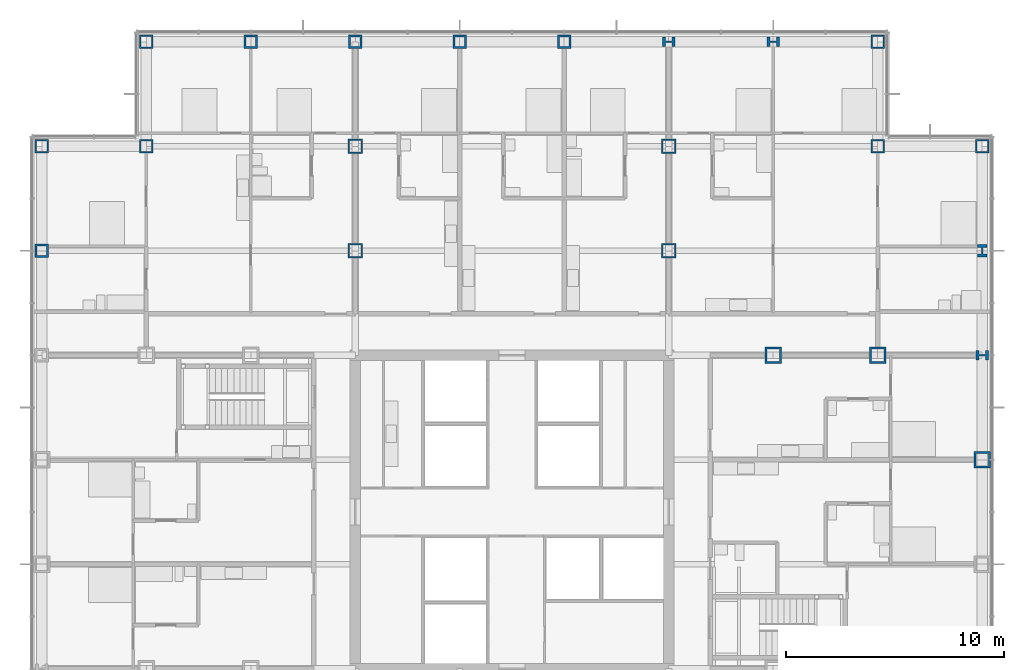
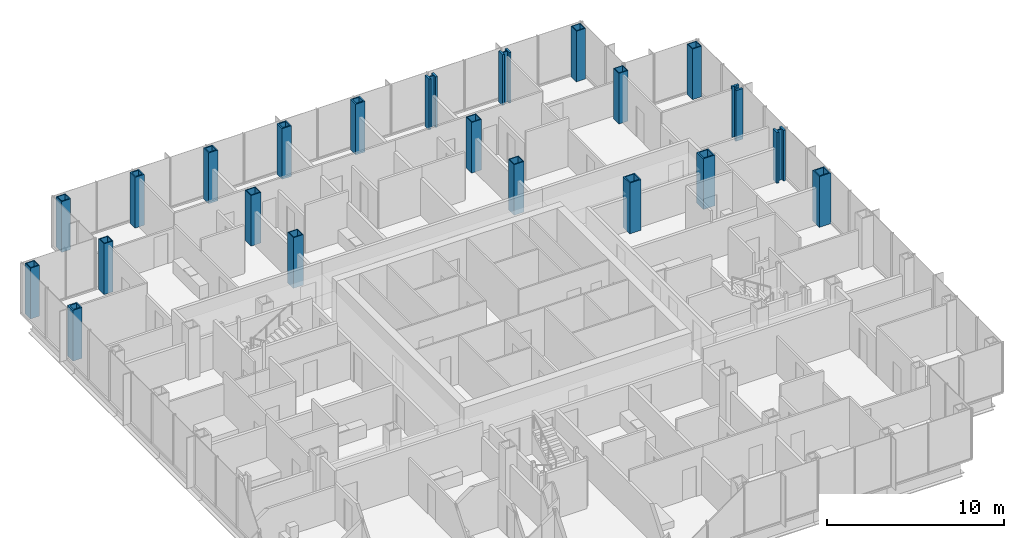
# One storey, part 5 of 21: 22 columns.
"""IFC4 building model written with IfcOpenShell, lengths in metres."""

from ifc_helpers import new_model, si_unit, direction, frame, origin, origin_2d, place, context, subcontext, project, spatial, hollow_rectangle, i_section, extrude, material, material_profile, profile_set, type_object, element, save


model = new_model("IFC4")

# Units and contexts
model_context = context("Model", 3, precision=1e-05, world=origin(), true_north=direction((0.0, 1.0)))
body_context = subcontext(model_context, "Body", "Model", "MODEL_VIEW")
ifc_project = project(units=[si_unit("LENGTHUNIT", "METRE"), si_unit("AREAUNIT", "SQUARE_METRE"), si_unit("VOLUMEUNIT", "CUBIC_METRE"), si_unit("PLANEANGLEUNIT", "RADIAN"), si_unit("MASSUNIT", "GRAM", prefix="KILO")], contexts=[model_context])

# Site, building, storey
site_placement = place(None, origin())
site = spatial("IfcSite", under=ifc_project, at=site_placement, CompositionType="ELEMENT")
building_placement = place(site_placement, origin())
building = spatial("IfcBuilding", under=site, at=building_placement, Name="Kvirike Care Tower", CompositionType="ELEMENT")
storey_placement = place(building_placement, frame((0.0, 0.0, 51.5)))
storey = spatial("IfcBuildingStorey", under=building, at=storey_placement, Name="L13", CompositionType="ELEMENT", Elevation=51.5)

# Columns
ifc_material_1 = material(Name="Steel S460", Category="steel")
ifc_material_profile_1 = material_profile(ifc_material_1, hollow_rectangle(XDim=0.60009765625, YDim=0.60009765625, WallThickness=0.050048828125, at=origin_2d()), Name="BX 600x600x50")
ifc_profile_set_1 = profile_set([ifc_material_profile_1], Name="Steel S460")
column_type_1 = type_object("IfcColumnType", Name="COLUMN BX 600x600x50", PredefinedType="COLUMN", material=ifc_profile_set_1)
for number, where, z_axis, x_axis, name in (
    (1, (38.39990234375, 52.800048828125, 0.0), (0.0, 0.0, 1.0), (0.0, 1.0, 0.0), "Column M11 L13"),
    (2, (38.39990234375, 57.60009765625, 0.0), (0.0, 0.0, 1.0), (0.0, 1.0, 0.0), "Column N11 L13"),
    (3, (43.199951171875, 52.800048828125, 0.0), (0.0, 0.0, 1.0), (0.0, 1.0, 0.0), "Column M12 L13"),
):
    element("IfcColumn", number, at=place(storey_placement, frame(where, z_axis=z_axis, x_axis=x_axis)), inside=storey, type_object=column_type_1, Name=name, PredefinedType="COLUMN", context=body_context, shape_type="SweptSolid", body=[
        extrude(hollow_rectangle(XDim=0.60009765625, YDim=0.60009765625, WallThickness=0.050048828125, at=origin_2d()), origin(), (0.0, 0.0, 1.0), 3.5),
    ])
ifc_material_2 = material(Name="Steel S460", Category="steel")
ifc_material_profile_2 = material_profile(ifc_material_2, hollow_rectangle(XDim=0.60009765625, YDim=0.60009765625, WallThickness=0.06005859375, at=origin_2d()), Name="BX 600x600x60")
ifc_profile_set_2 = profile_set([ifc_material_profile_2], Name="Steel S460")
column_type_2 = type_object("IfcColumnType", Name="COLUMN BX 600x600x60", PredefinedType="COLUMN", material=ifc_profile_set_2)
for number, where, z_axis, x_axis, name in (
    (4, (0.0, 52.800048828125, 0.0), (0.0, 0.0, 1.0), (0.0, 1.0, 0.0), "Column M3 L13"),
    (5, (4.800048828125, 52.800048828125, 0.0), (0.0, 0.0, 1.0), (0.0, 1.0, 0.0), "Column M4 L13"),
    (6, (4.800048828125, 57.60009765625, 0.0), (0.0, 0.0, 1.0), (0.0, 1.0, 0.0), "Column N4 L13"),
):
    element("IfcColumn", number, at=place(storey_placement, frame(where, z_axis=z_axis, x_axis=x_axis)), inside=storey, type_object=column_type_2, Name=name, PredefinedType="COLUMN", context=body_context, shape_type="SweptSolid", body=[
        extrude(hollow_rectangle(XDim=0.60009765625, YDim=0.60009765625, WallThickness=0.06005859375, at=origin_2d()), origin(), (0.0, 0.0, 1.0), 3.5),
    ])
ifc_material_3 = material(Name="Steel S460", Category="steel")
ifc_material_profile_3 = material_profile(ifc_material_3, hollow_rectangle(XDim=0.60009765625, YDim=0.60009765625, WallThickness=0.080078125, at=origin_2d()), Name="BX 600x600x80")
ifc_profile_set_3 = profile_set([ifc_material_profile_3], Name="Steel S460")
column_type_3 = type_object("IfcColumnType", Name="COLUMN BX 600x600x80", PredefinedType="COLUMN", material=ifc_profile_set_3)
for number, where, z_axis, x_axis, name in (
    (7, (0.0, 48.0, 0.0), (0.0, 0.0, 1.0), (1.0, 0.0, 0.0), "Column L3 L13"),
    (8, (9.60009765625, 57.60009765625, 0.0), (0.0, 0.0, 1.0), (0.0, 1.0, 0.0), "Column N5 L13"),
    (9, (14.39990234375, 57.60009765625, 0.0), (0.0, 0.0, 1.0), (0.0, 1.0, 0.0), "Column N6 L13"),
    (10, (19.199951171875, 57.60009765625, 0.0), (0.0, 0.0, 1.0), (0.0, 1.0, 0.0), "Column N7 L13"),
    (11, (24.0, 57.60009765625, 0.0), (0.0, 0.0, 1.0), (0.0, 1.0, 0.0), "Column N8 L13"),
):
    element("IfcColumn", number, at=place(storey_placement, frame(where, z_axis=z_axis, x_axis=x_axis)), inside=storey, type_object=column_type_3, Name=name, PredefinedType="COLUMN", context=body_context, shape_type="SweptSolid", body=[
        extrude(hollow_rectangle(XDim=0.60009765625, YDim=0.60009765625, WallThickness=0.080078125, at=origin_2d()), origin(), (0.0, 0.0, 1.0), 3.5),
    ])
ifc_material_4 = material(Name="Steel S460", Category="steel")
ifc_material_profile_4 = material_profile(ifc_material_4, hollow_rectangle(XDim=0.64990234375, YDim=0.64990234375, WallThickness=0.050048828125, at=origin_2d()), Name="BX 650x650x50")
ifc_profile_set_4 = profile_set([ifc_material_profile_4], Name="Steel S460")
column_type_4 = type_object("IfcColumnType", Name="COLUMN BX 650x650x50", PredefinedType="COLUMN", material=ifc_profile_set_4)
for number, where, z_axis, x_axis, name in (
    (12, (14.39990234375, 48.0, 0.0), (0.0, 0.0, 1.0), (1.0, 0.0, 0.0), "Column L6 L13"),
    (13, (14.39990234375, 52.800048828125, 0.0), (0.0, 0.0, 1.0), (1.0, 0.0, 0.0), "Column M6 L13"),
    (14, (28.800048828125, 48.0, 0.0), (0.0, 0.0, 1.0), (1.0, 0.0, 0.0), "Column L9 L13"),
    (15, (28.800048828125, 52.800048828125, 0.0), (0.0, 0.0, 1.0), (1.0, 0.0, 0.0), "Column M9 L13"),
):
    element("IfcColumn", number, at=place(storey_placement, frame(where, z_axis=z_axis, x_axis=x_axis)), inside=storey, type_object=column_type_4, Name=name, PredefinedType="COLUMN", context=body_context, shape_type="SweptSolid", body=[
        extrude(hollow_rectangle(XDim=0.64990234375, YDim=0.64990234375, WallThickness=0.050048828125, at=origin_2d()), origin(), (0.0, 0.0, 1.0), 3.5),
    ])
ifc_material_5 = material(Name="Steel S460", Category="steel")
ifc_material_profile_5 = material_profile(ifc_material_5, hollow_rectangle(XDim=0.75, YDim=0.75, WallThickness=0.080078125, at=origin_2d()), Name="BX 750x750x80")
ifc_profile_set_5 = profile_set([ifc_material_profile_5], Name="Steel S460")
column_type_5 = type_object("IfcColumnType", Name="COLUMN BX 750x750x80", PredefinedType="COLUMN", material=ifc_profile_set_5)
for number, where, z_axis, x_axis, name in (
    (16, (33.60009765625, 43.199951171875, 0.0), (0.0, 0.0, 1.0), (0.0, 1.0, 0.0), "Column K10 L13"),
    (17, (38.39990234375, 43.199951171875, 0.0), (0.0, 0.0, 1.0), (0.0, 1.0, 0.0), "Column K11 L13"),
    (18, (43.199951171875, 38.39990234375, 0.0), (0.0, 0.0, 1.0), (1.0, 0.0, 0.0), "Column J12 L13"),
):
    element("IfcColumn", number, at=place(storey_placement, frame(where, z_axis=z_axis, x_axis=x_axis)), inside=storey, type_object=column_type_5, Name=name, PredefinedType="COLUMN", context=body_context, shape_type="SweptSolid", body=[
        extrude(hollow_rectangle(XDim=0.75, YDim=0.75, WallThickness=0.080078125, at=origin_2d()), origin(), (0.0, 0.0, 1.0), 3.5),
    ])
ifc_material_6 = material(Name="Steel S460", Category="steel")
ifc_material_profile_6 = material_profile(ifc_material_6, i_section(OverallWidth=0.4541015625, OverallDepth=0.569091796875, WebThickness=0.077880859375, FlangeThickness=0.125, FilletRadius=0.014892578125, at=origin_2d()), Name="HD 400x1086")
ifc_profile_set_6 = profile_set([ifc_material_profile_6], Name="Steel S460")
column_type_6 = type_object("IfcColumnType", Name="COLUMN HD 400x1086", PredefinedType="COLUMN", material=ifc_profile_set_6)
for number, where, z_axis, x_axis, name in (
    (19, (28.800048828125, 57.60009765625, 0.0), (0.0, 0.0, 1.0), (0.0, 1.0, 0.0), "Column N9 L13"),
    (20, (33.60009765625, 57.60009765625, 0.0), (0.0, 0.0, 1.0), (0.0, 1.0, 0.0), "Column N10 L13"),
    (21, (43.199951171875, 43.199951171875, 0.0), (0.0, 0.0, 1.0), (0.0, 1.0, 0.0), "Column K12 L13"),
    (22, (43.199951171875, 48.0, 0.0), (0.0, 0.0, 1.0), (1.0, 0.0, 0.0), "Column L12 L13"),
):
    element("IfcColumn", number, at=place(storey_placement, frame(where, z_axis=z_axis, x_axis=x_axis)), inside=storey, type_object=column_type_6, Name=name, PredefinedType="COLUMN", context=body_context, shape_type="SweptSolid", body=[
        extrude(i_section(OverallWidth=0.4541015625, OverallDepth=0.569091796875, WebThickness=0.077880859375, FlangeThickness=0.125, FilletRadius=0.014892578125, at=origin_2d()), origin(), (0.0, 0.0, 1.0), 3.5),
    ])

save(model, "model.ifc")
